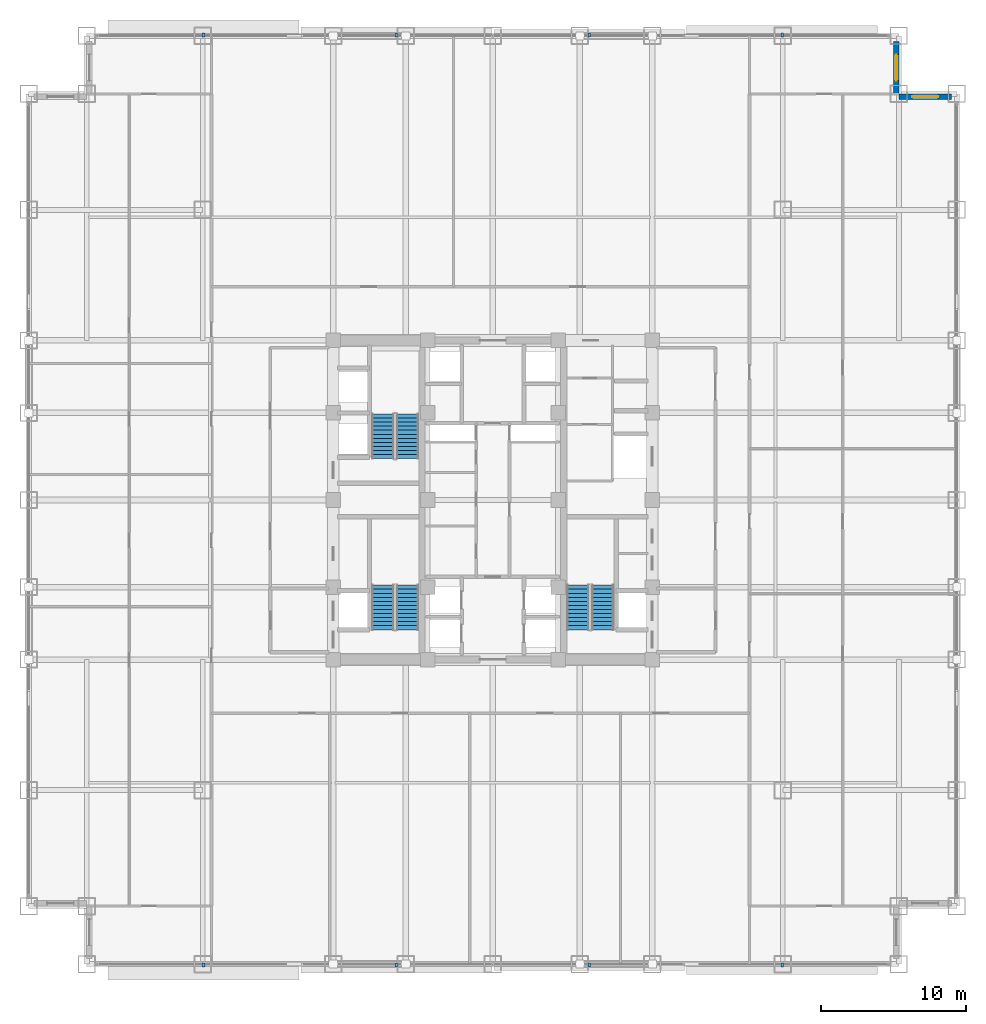
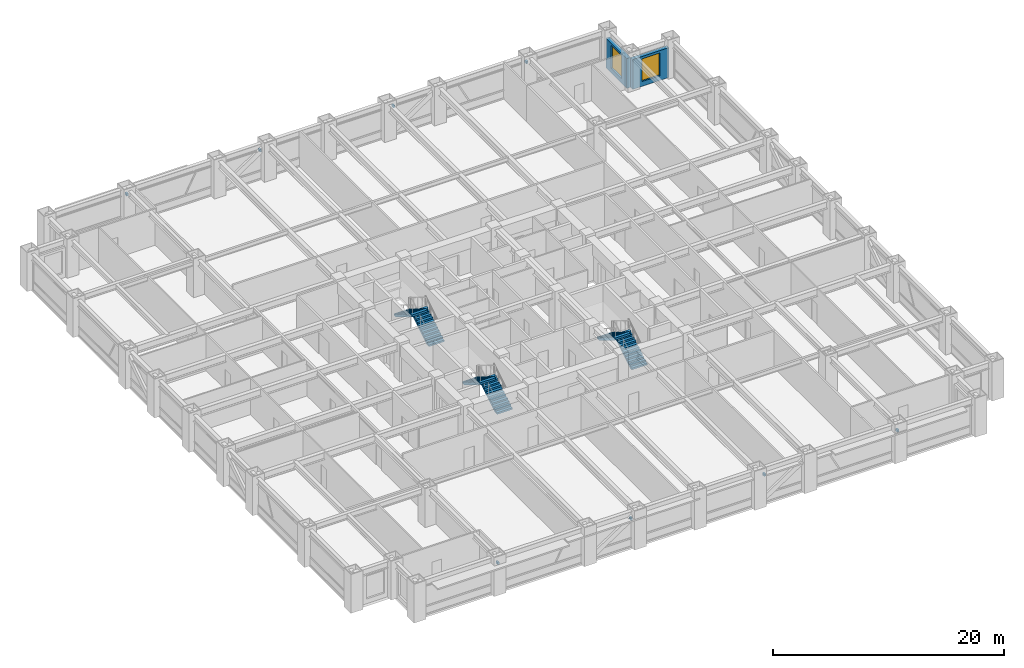
# One storey, part 27 of 32: 8 discrete accessories, 6 stair flights, 2 walls, 2 windows, 2 openings, 3 elements without a shape of their own.
"""IFC4 building model written with IfcOpenShell, lengths in metres."""

from ifc_helpers import new_model, si_unit, direction, frame, frame_2d, origin, origin_2d, place, context, subcontext, project, spatial, polyline, rectangle, outline, extrude, source, transform, mapped, material, layer, layer_set, type_object, element, fill, aggregate, save


model = new_model("IFC4")

# Units and contexts
model_context = context("Model", 3, precision=1e-05, world=origin(), true_north=direction((0.0, 1.0)))
body_context = subcontext(model_context, "Body", "Model", "MODEL_VIEW")
ifc_project = project(units=[si_unit("LENGTHUNIT", "METRE"), si_unit("AREAUNIT", "SQUARE_METRE"), si_unit("VOLUMEUNIT", "CUBIC_METRE"), si_unit("PLANEANGLEUNIT", "RADIAN"), si_unit("MASSUNIT", "GRAM", prefix="KILO")], contexts=[model_context])

# Site, building, storey
site_placement = place(None, origin())
site = spatial("IfcSite", under=ifc_project, at=site_placement, CompositionType="ELEMENT")
building_placement = place(site_placement, origin())
building = spatial("IfcBuilding", under=site, at=building_placement, Name="Khorayat Bourse Tower", CompositionType="ELEMENT")
storey_placement = place(building_placement, frame((0.0, 0.0, 128.300048828125)))
storey = spatial("IfcBuildingStorey", under=building, at=storey_placement, Name="L29", CompositionType="ELEMENT", Elevation=128.300048828125)

# Wall, opening, window
ifc_material_1 = material(Name="Precast concrete C45/55", Category="concrete")
ifc_layer = layer(ifc_material_1, 0.3798828125)
ifc_layer_set = layer_set([ifc_layer], Name="Precast concrete C45/55")
wall_type = type_object("IfcWallType", Name="WAL-EXT-STONE-380", PredefinedType="STANDARD", material=ifc_layer_set)
shared_shape_1 = source(origin(), body_context, "Body", "SweptSolid", [
    extrude(rectangle(XDim=3.6201171875, YDim=0.3798828125, at=frame_2d((1.81005859375, 0.0))), origin(), (0.0, 0.0, 1.0), 3.14501953125),
])
wall_1_placement = place(storey_placement, frame((28.0, 27.81005859375, 0.0), z_axis=(0.0, 0.0, 1.0), x_axis=(1.0, 0.0, 0.0)))
wall_1 = element("IfcWall", 1, at=wall_1_placement, inside=storey, type_object=wall_type, Name="L29 Re-Entrant Notch Limestone Wall NE-H", PredefinedType="STANDARD", context=body_context, shape_type="MappedRepresentation", body=[
    mapped(shared_shape_1, transform((0.0, 0.0, 0.0), scale=1.0)),
])
shared_shape_2 = source(origin(), body_context, "Body", "SweptSolid", [
    extrude(rectangle(XDim=1.800048828125, YDim=2.39990234375, at=frame_2d((0.89990234375, 1.199951171875))), frame((0.0, 0.199951171875, 0.0), z_axis=(0.0, -1.0, 0.0), x_axis=(1.0, 0.0, 0.0)), (0.0, 0.0, 1.0), 0.39990234375),
])
opening_1_placement = place(wall_1_placement, frame((0.909912109375, 0.0, 0.5)))
opening_1 = element("IfcOpeningElement", 2, at=opening_1_placement, cuts=wall_1, Name="Opening WN-04", PredefinedType="OPENING", context=body_context, shape_type="MappedRepresentation", body=[
    mapped(shared_shape_2, transform((0.0, 0.0, 0.0), scale=1.0)),
])
ifc_material_2 = material(Name="Low-E acoustic laminated double glazing", Category="glass")
window_type = type_object("IfcWindowType", Name="WIN-NOTCH-1800x2400", PartitioningType="SINGLE_PANEL", PredefinedType="WINDOW", material=ifc_material_2)
shared_shape_3 = source(origin(), body_context, "Body", "SweptSolid", [
    extrude(rectangle(XDim=1.800048828125, YDim=2.39990234375, at=frame_2d((0.89990234375, 1.199951171875))), frame((0.0, 0.030029296875, 0.0), z_axis=(0.0, -1.0, 0.0), x_axis=(1.0, 0.0, 0.0)), (0.0, 0.0, 1.0), 0.06005859375),
])
window_1_placement = place(opening_1_placement, origin())
window_1 = element("IfcWindow", 3, at=window_1_placement, inside=storey, type_object=window_type, Name="L29 Facade Window 1", OverallHeight=2.39990234375, OverallWidth=1.800048828125, PartitioningType="SINGLE_PANEL", PredefinedType="WINDOW", context=body_context, shape_type="MappedRepresentation", body=[
    mapped(shared_shape_3, transform((0.0, 0.0, 0.0), scale=1.0)),
])
fill(opening_1, window_1)

wall_2_placement = place(storey_placement, frame((27.81005859375, 28.0, 0.0), z_axis=(0.0, 0.0, 1.0), x_axis=(0.0, 1.0, 0.0)))
wall_2 = element("IfcWall", 4, at=wall_2_placement, inside=storey, type_object=wall_type, Name="L29 Re-Entrant Notch Limestone Wall NE-V", PredefinedType="STANDARD", context=body_context, shape_type="MappedRepresentation", body=[
    mapped(shared_shape_1, transform((0.0, 0.0, 0.0), scale=1.0)),
])
opening_2_placement = place(wall_2_placement, frame((0.909912109375, 0.0, 0.5)))
opening_2 = element("IfcOpeningElement", 5, at=opening_2_placement, cuts=wall_2, Name="Opening WN-04", PredefinedType="OPENING", context=body_context, shape_type="MappedRepresentation", body=[
    mapped(shared_shape_2, transform((0.0, 0.0, 0.0), scale=1.0)),
])
window_2_placement = place(opening_2_placement, origin())
window_2 = element("IfcWindow", 6, at=window_2_placement, inside=storey, type_object=window_type, Name="L29 Facade Window 1", OverallHeight=2.39990234375, OverallWidth=1.800048828125, PartitioningType="SINGLE_PANEL", PredefinedType="WINDOW", context=body_context, shape_type="MappedRepresentation", body=[
    mapped(shared_shape_3, transform((0.0, 0.0, 0.0), scale=1.0)),
])
fill(opening_2, window_2)

# Stair, stair flights
ifc_material_3 = material(Name="Concrete C40/50", Category="concrete")
stair_type = type_object("IfcStairType", Name="STR-CORE-1550", PredefinedType="HALF_TURN_STAIR", material=ifc_material_3)
stair_1_placement = place(storey_placement, origin())
stair_1 = element("IfcStair", 7, at=stair_1_placement, inside=storey, type_object=stair_type, Name="L29 Exit Stair ST-1", PredefinedType="HALF_TURN_STAIR")
stair_flight_type = type_object("IfcStairFlightType", Name="FLT-CORE-1550", PredefinedType="STRAIGHT", material=ifc_material_3)
shared_shape_4 = source(origin(), body_context, "Body", "SweptSolid", [
    extrude(outline(polyline([(0.0, 0.0), (0.0, 0.1708984375), (0.280029296875, 0.1708984375), (0.280029296875, 0.341552734375), (0.56005859375, 0.341552734375), (0.56005859375, 0.512451171875), (0.840087890625, 0.512451171875), (0.840087890625, 0.683349609375), (1.1201171875, 0.683349609375), (1.1201171875, 0.854248046875), (1.39990234375, 0.854248046875), (1.39990234375, 1.02490234375), (1.679931640625, 1.02490234375), (1.679931640625, 1.19580078125), (1.9599609375, 1.19580078125), (1.9599609375, 1.36669921875), (2.239990234375, 1.36669921875), (2.239990234375, 1.53759765625), (2.52001953125, 1.53759765625), (2.52001953125, 1.708251953125), (2.800048828125, 1.708251953125), (2.800048828125, 1.879150390625), (3.080078125, 1.879150390625), (3.080078125, 2.050048828125), (3.080078125, 1.66845703125), (0.345458984375, 0.0), (0.0, 0.0)])), frame((0.0, 0.77490234375, 0.0), z_axis=(0.0, -1.0, 0.0), x_axis=(1.0, 0.0, 0.0)), (0.0, 0.0, 1.0), 1.550048828125),
])
stair_flight_1_placement = place(storey_placement, frame((-5.875, -8.949951171875, 0.0), z_axis=(0.0, 0.0, 1.0), x_axis=(0.0, 1.0, 0.0)))
stair_flight_1 = element("IfcStairFlight", 8, at=stair_flight_1_placement, type_object=stair_flight_type, Name="ST-1 flight 1", NumberOfRisers=12, NumberOfTreads=11, PredefinedType="STRAIGHT", RiserHeight=0.170833333, TreadLength=0.28, context=body_context, shape_type="MappedRepresentation", body=[
    mapped(shared_shape_4, transform((0.0, 0.0, 0.0), scale=1.0)),
])
stair_flight_2_placement = place(storey_placement, frame((-7.574951171875, -5.8701171875, 2.050048828125), z_axis=(0.0, 0.0, 1.0), x_axis=(0.0, -1.0, 0.0)))
stair_flight_2 = element("IfcStairFlight", 9, at=stair_flight_2_placement, type_object=stair_flight_type, Name="ST-1 flight 2", NumberOfRisers=12, NumberOfTreads=11, PredefinedType="STRAIGHT", RiserHeight=0.170833333, TreadLength=0.28, context=body_context, shape_type="MappedRepresentation", body=[
    mapped(shared_shape_4, transform((0.0, 0.0, 0.0), scale=1.0)),
])
aggregate(stair_1, [stair_flight_1, stair_flight_2])

stair_2_placement = place(storey_placement, origin())
stair_2 = element("IfcStair", 10, at=stair_2_placement, inside=storey, type_object=stair_type, Name="L29 Exit Stair ST-2", PredefinedType="HALF_TURN_STAIR")
stair_flight_3_placement = place(storey_placement, frame((-5.875, 2.85009765625, 0.0), z_axis=(0.0, 0.0, 1.0), x_axis=(0.0, 1.0, 0.0)))
stair_flight_3 = element("IfcStairFlight", 11, at=stair_flight_3_placement, type_object=stair_flight_type, Name="ST-2 flight 1", NumberOfRisers=12, NumberOfTreads=11, PredefinedType="STRAIGHT", RiserHeight=0.170833333, TreadLength=0.28, context=body_context, shape_type="MappedRepresentation", body=[
    mapped(shared_shape_4, transform((0.0, 0.0, 0.0), scale=1.0)),
])
stair_flight_4_placement = place(storey_placement, frame((-7.574951171875, 5.929931640625, 2.050048828125), z_axis=(0.0, 0.0, 1.0), x_axis=(0.0, -1.0, 0.0)))
stair_flight_4 = element("IfcStairFlight", 12, at=stair_flight_4_placement, type_object=stair_flight_type, Name="ST-2 flight 2", NumberOfRisers=12, NumberOfTreads=11, PredefinedType="STRAIGHT", RiserHeight=0.170833333, TreadLength=0.28, context=body_context, shape_type="MappedRepresentation", body=[
    mapped(shared_shape_4, transform((0.0, 0.0, 0.0), scale=1.0)),
])
aggregate(stair_2, [stair_flight_3, stair_flight_4])

stair_3_placement = place(storey_placement, origin())
stair_3 = element("IfcStair", 13, at=stair_3_placement, inside=storey, type_object=stair_type, Name="L29 Exit Stair ST-3", PredefinedType="HALF_TURN_STAIR")
stair_flight_5_placement = place(storey_placement, frame((7.574951171875, -8.949951171875, 0.0), z_axis=(0.0, 0.0, 1.0), x_axis=(0.0, 1.0, 0.0)))
stair_flight_5 = element("IfcStairFlight", 14, at=stair_flight_5_placement, type_object=stair_flight_type, Name="ST-3 flight 1", NumberOfRisers=12, NumberOfTreads=11, PredefinedType="STRAIGHT", RiserHeight=0.170833333, TreadLength=0.28, context=body_context, shape_type="MappedRepresentation", body=[
    mapped(shared_shape_4, transform((0.0, 0.0, 0.0), scale=1.0)),
])
stair_flight_6_placement = place(storey_placement, frame((5.875, -5.8701171875, 2.050048828125), z_axis=(0.0, 0.0, 1.0), x_axis=(0.0, -1.0, 0.0)))
stair_flight_6 = element("IfcStairFlight", 15, at=stair_flight_6_placement, type_object=stair_flight_type, Name="ST-3 flight 2", NumberOfRisers=12, NumberOfTreads=11, PredefinedType="STRAIGHT", RiserHeight=0.170833333, TreadLength=0.28, context=body_context, shape_type="MappedRepresentation", body=[
    mapped(shared_shape_4, transform((0.0, 0.0, 0.0), scale=1.0)),
])
aggregate(stair_3, [stair_flight_5, stair_flight_6])

# Discrete accessories
ifc_material_4 = material(Name="Steel EN 10025-2 S355J2", Category="steel")
discrete_accessory_type = type_object("IfcDiscreteAccessoryType", Name="ACC-SHADE-BRACKET", PredefinedType="BRACKET", material=ifc_material_4)
shared_shape_5 = source(origin(), body_context, "Body", "SweptSolid", [
    extrude(rectangle(XDim=0.179931640625, YDim=0.300048828125, at=origin_2d()), origin(), (0.0, 0.0, 1.0), 0.239990234375),
])
for number, where, z_axis, x_axis, name in (
    (16, (-19.949951171875, -32.06005859375, 2.93994140625), (0.0, 0.0, 1.0), (1.0, 0.0, 0.0), "L29 Sunshade Support Bracket S-1"),
    (17, (-6.64990234375, -32.06005859375, 2.93994140625), (0.0, 0.0, 1.0), (1.0, 0.0, 0.0), "L29 Sunshade Support Bracket S-2"),
    (18, (6.64990234375, -32.06005859375, 2.93994140625), (0.0, 0.0, 1.0), (1.0, 0.0, 0.0), "L29 Sunshade Support Bracket S-3"),
    (19, (19.949951171875, -32.06005859375, 2.93994140625), (0.0, 0.0, 1.0), (1.0, 0.0, 0.0), "L29 Sunshade Support Bracket S-4"),
    (20, (-19.949951171875, 32.06005859375, 2.93994140625), (0.0, 0.0, 1.0), (1.0, 0.0, 0.0), "L29 Sunshade Support Bracket N-1"),
    (21, (-6.64990234375, 32.06005859375, 2.93994140625), (0.0, 0.0, 1.0), (1.0, 0.0, 0.0), "L29 Sunshade Support Bracket N-2"),
    (22, (6.64990234375, 32.06005859375, 2.93994140625), (0.0, 0.0, 1.0), (1.0, 0.0, 0.0), "L29 Sunshade Support Bracket N-3"),
    (23, (19.949951171875, 32.06005859375, 2.93994140625), (0.0, 0.0, 1.0), (1.0, 0.0, 0.0), "L29 Sunshade Support Bracket N-4"),
):
    element("IfcDiscreteAccessory", number, at=place(storey_placement, frame(where, z_axis=z_axis, x_axis=x_axis)), inside=storey, type_object=discrete_accessory_type, Name=name, PredefinedType="BRACKET", context=body_context, shape_type="MappedRepresentation", body=[
        mapped(shared_shape_5, transform((0.0, 0.0, 0.0), scale=1.0)),
    ])

save(model, "model.ifc")
